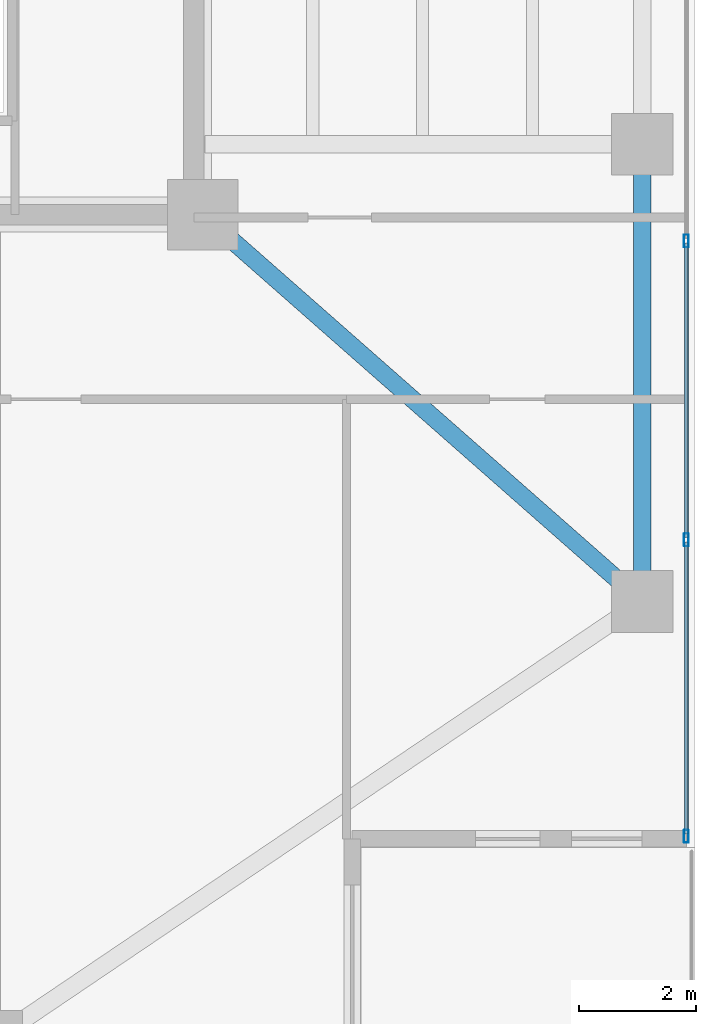
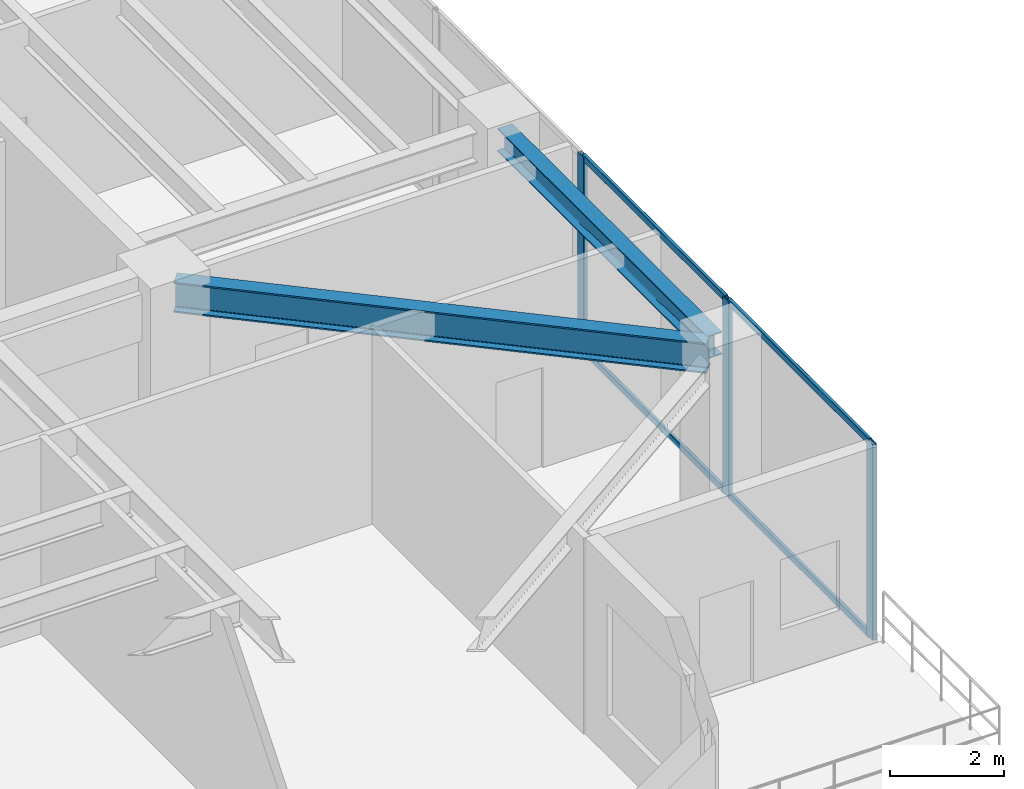
# One storey, part 15 of 37: 7 members, 2 beams, 1 element without a shape of its own.
"""IFC4 building model written with IfcOpenShell, lengths in metres."""

from ifc_helpers import new_model, si_unit, direction, frame, origin, origin_2d, place, context, subcontext, project, spatial, hollow_rectangle, i_section, extrude, material, layer, layer_set, material_profile, profile_set, type_object, element, aggregate, save


model = new_model("IFC4")

# Units and contexts
model_context = context("Model", 3, precision=1e-05, world=origin(), true_north=direction((0.0, 1.0)))
body_context = subcontext(model_context, "Body", "Model", "MODEL_VIEW")
ifc_project = project(units=[si_unit("LENGTHUNIT", "METRE"), si_unit("AREAUNIT", "SQUARE_METRE"), si_unit("VOLUMEUNIT", "CUBIC_METRE"), si_unit("PLANEANGLEUNIT", "RADIAN"), si_unit("MASSUNIT", "GRAM", prefix="KILO")], contexts=[model_context])

# Site, building, storey
site_placement = place(None, origin())
site = spatial("IfcSite", under=ifc_project, at=site_placement, CompositionType="ELEMENT")
building_placement = place(site_placement, origin())
building = spatial("IfcBuilding", under=site, at=building_placement, Name="Tarnavaz Court Tower", CompositionType="ELEMENT")
storey_placement = place(building_placement, frame((0.0, 0.0, 118.5)))
storey = spatial("IfcBuildingStorey", under=building, at=storey_placement, Name="L32", CompositionType="ELEMENT", Elevation=118.5)

# Beams
ifc_material_1 = material(Name="Steel S355", Category="steel")
ifc_material_profile_1 = material_profile(ifc_material_1, i_section(OverallWidth=0.300048828125, OverallDepth=0.64990234375, WebThickness=0.01611328125, FlangeThickness=0.031005859375, FilletRadius=0.027099609375, at=origin_2d()), Name="HEB 650")
ifc_profile_set_1 = profile_set([ifc_material_profile_1], Name="Steel S355")
beam_type_1 = type_object("IfcBeamType", Name="BM-G-HEB650", PredefinedType="USERDEFINED", material=ifc_profile_set_1)
beam_1_placement = place(storey_placement, frame((18.76513671875, -7.34521484375, 3.875), z_axis=(0.750700332035, -0.660642877417, 0.0), x_axis=(0.660642877417, 0.750700332035, 0.0)))
element("IfcBeam", 1, at=beam_1_placement, inside=storey, type_object=beam_type_1, Name="L32 Beam RG-11", ObjectType="GIRDER", PredefinedType="USERDEFINED", context=body_context, shape_type="SweptSolid", body=[
    extrude(i_section(OverallWidth=0.300048828125, OverallDepth=0.64990234375, WebThickness=0.01611328125, FlangeThickness=0.031005859375, FilletRadius=0.027099609375, at=origin_2d()), origin(), (0.0, 0.0, 1.0), 9.550537109375),
])
ifc_material_profile_2 = material_profile(ifc_material_1, i_section(OverallWidth=0.300048828125, OverallDepth=0.489990234375, WebThickness=0.011962890625, FlangeThickness=0.02294921875, FilletRadius=0.027099609375, at=origin_2d()), Name="HEA 500")
ifc_profile_set_2 = profile_set([ifc_material_profile_2], Name="Steel S355")
beam_type_2 = type_object("IfcBeamType", Name="BM-SP-HEA500", PredefinedType="SPANDREL", material=ifc_profile_set_2)
beam_2_placement = place(storey_placement, frame((26.10009765625, -13.580078125, 3.955078125), z_axis=(0.0, 1.0, 0.0), x_axis=(-1.0, 0.0, 0.0)))
element("IfcBeam", 2, at=beam_2_placement, inside=storey, type_object=beam_type_2, Name="L32 Beam PR-PE-1-PE-2", PredefinedType="SPANDREL", context=body_context, shape_type="SweptSolid", body=[
    extrude(i_section(OverallWidth=0.300048828125, OverallDepth=0.489990234375, WebThickness=0.011962890625, FlangeThickness=0.02294921875, FilletRadius=0.027099609375, at=origin_2d()), origin(), (0.0, 0.0, 1.0), 7.360107421875),
])

# Curtain wall, members
ifc_material_2 = material(Name="Anodised Aluminium 6063-T6 and Solar Low-E Glazing", Category="aluminium")
ifc_layer = layer(ifc_material_2, 0.199951171875)
ifc_layer_set = layer_set([ifc_layer], Name="Anodised Aluminium 6063-T6 and Solar Low-E Glazing")
curtain_wall_type = type_object("IfcCurtainWallType", Name="CW-SYS-05", PredefinedType="NOTDEFINED", material=ifc_layer_set)
curtain_wall_placement = place(storey_placement, origin())
curtain_wall = element("IfcCurtainWall", 3, at=curtain_wall_placement, inside=storey, type_object=curtain_wall_type, Name="L32 Sky-Portal Curtain Wall 12", PredefinedType="NOTDEFINED")
ifc_material_3 = material(Name="Anodised Aluminium 6063-T6", Category="aluminium")
ifc_material_profile_3 = material_profile(ifc_material_3, hollow_rectangle(XDim=0.0849609375, YDim=0.219970703125, WallThickness=0.006103515625, InnerFilletRadius=0.006103515625, OuterFilletRadius=0.011962890625, at=origin_2d()), Name="ALU RHS 220X85X6")
ifc_profile_set_3 = profile_set([ifc_material_profile_3], Name="Anodised Aluminium 6063-T6")
member_type_1 = type_object("IfcMemberType", Name="CW-MUL-220", PredefinedType="MULLION", material=ifc_profile_set_3)
member_1_placement = place(storey_placement, frame((26.85009765625, -7.64990234375, 0.0), z_axis=(0.0, 0.0, 1.0), x_axis=(1.0, 0.0, 0.0)))
member_1 = element("IfcMember", 4, at=member_1_placement, type_object=member_type_1, Name="CW mullion 6", PredefinedType="MULLION", context=body_context, shape_type="SweptSolid", body=[
    extrude(hollow_rectangle(XDim=0.0849609375, YDim=0.219970703125, WallThickness=0.006103515625, InnerFilletRadius=0.006103515625, OuterFilletRadius=0.011962890625, at=origin_2d()), origin(), (0.0, 0.0, 1.0), 4.199951171875),
])
member_2_placement = place(storey_placement, frame((26.85009765625, -12.75, 0.0), z_axis=(0.0, 0.0, 1.0), x_axis=(1.0, 0.0, 0.0)))
member_2 = element("IfcMember", 5, at=member_2_placement, type_object=member_type_1, Name="CW mullion 7", PredefinedType="MULLION", context=body_context, shape_type="SweptSolid", body=[
    extrude(hollow_rectangle(XDim=0.0849609375, YDim=0.219970703125, WallThickness=0.006103515625, InnerFilletRadius=0.006103515625, OuterFilletRadius=0.011962890625, at=origin_2d()), origin(), (0.0, 0.0, 1.0), 4.199951171875),
])
member_3_placement = place(storey_placement, frame((26.85009765625, -17.8076171875, 0.0), z_axis=(0.0, 0.0, 1.0), x_axis=(1.0, 0.0, 0.0)))
member_3 = element("IfcMember", 6, at=member_3_placement, type_object=member_type_1, Name="CW mullion 8", PredefinedType="MULLION", context=body_context, shape_type="SweptSolid", body=[
    extrude(hollow_rectangle(XDim=0.0849609375, YDim=0.219970703125, WallThickness=0.006103515625, InnerFilletRadius=0.006103515625, OuterFilletRadius=0.011962890625, at=origin_2d()), origin(), (0.0, 0.0, 1.0), 4.199951171875),
])
ifc_material_profile_4 = material_profile(ifc_material_3, hollow_rectangle(XDim=0.06494140625, YDim=0.139892578125, WallThickness=0.00390625, InnerFilletRadius=0.00390625, OuterFilletRadius=0.008056640625, at=origin_2d()), Name="ALU RHS 140X65X4")
ifc_profile_set_4 = profile_set([ifc_material_profile_4], Name="Anodised Aluminium 6063-T6")
member_type_2 = type_object("IfcMemberType", Name="CW-TRN-140", PredefinedType="USERDEFINED", material=ifc_profile_set_4)
member_4_placement = place(storey_placement, frame((26.85009765625, -7.6923828125, 0.032470703125), z_axis=(0.0, -1.0, 0.0), x_axis=(1.0, 0.0, 0.0)))
member_4 = element("IfcMember", 7, at=member_4_placement, type_object=member_type_2, Name="CW transom 6.1", ObjectType="TRANSOM", PredefinedType="USERDEFINED", context=body_context, shape_type="SweptSolid", body=[
    extrude(hollow_rectangle(XDim=0.06494140625, YDim=0.139892578125, WallThickness=0.00390625, InnerFilletRadius=0.00390625, OuterFilletRadius=0.008056640625, at=origin_2d()), origin(), (0.0, 0.0, 1.0), 5.01513671875),
])
member_5_placement = place(storey_placement, frame((26.85009765625, -7.6923828125, 4.16748046875), z_axis=(0.0, -1.0, 0.0), x_axis=(1.0, 0.0, 0.0)))
member_5 = element("IfcMember", 8, at=member_5_placement, type_object=member_type_2, Name="CW transom 6.2", ObjectType="TRANSOM", PredefinedType="USERDEFINED", context=body_context, shape_type="SweptSolid", body=[
    extrude(hollow_rectangle(XDim=0.06494140625, YDim=0.139892578125, WallThickness=0.00390625, InnerFilletRadius=0.00390625, OuterFilletRadius=0.008056640625, at=origin_2d()), origin(), (0.0, 0.0, 1.0), 5.01513671875),
])
member_6_placement = place(storey_placement, frame((26.85009765625, -12.79248046875, 0.032470703125), z_axis=(0.0, -1.0, 0.0), x_axis=(1.0, 0.0, 0.0)))
member_6 = element("IfcMember", 9, at=member_6_placement, type_object=member_type_2, Name="CW transom 7.1", ObjectType="TRANSOM", PredefinedType="USERDEFINED", context=body_context, shape_type="SweptSolid", body=[
    extrude(hollow_rectangle(XDim=0.06494140625, YDim=0.139892578125, WallThickness=0.00390625, InnerFilletRadius=0.00390625, OuterFilletRadius=0.008056640625, at=origin_2d()), origin(), (0.0, 0.0, 1.0), 4.972412109375),
])
member_7_placement = place(storey_placement, frame((26.85009765625, -12.79248046875, 4.16748046875), z_axis=(0.0, -1.0, 0.0), x_axis=(1.0, 0.0, 0.0)))
member_7 = element("IfcMember", 10, at=member_7_placement, type_object=member_type_2, Name="CW transom 7.2", ObjectType="TRANSOM", PredefinedType="USERDEFINED", context=body_context, shape_type="SweptSolid", body=[
    extrude(hollow_rectangle(XDim=0.06494140625, YDim=0.139892578125, WallThickness=0.00390625, InnerFilletRadius=0.00390625, OuterFilletRadius=0.008056640625, at=origin_2d()), origin(), (0.0, 0.0, 1.0), 4.972412109375),
])
aggregate(curtain_wall, [member_1, member_2, member_3, member_4, member_5, member_6, member_7])

save(model, "model.ifc")
